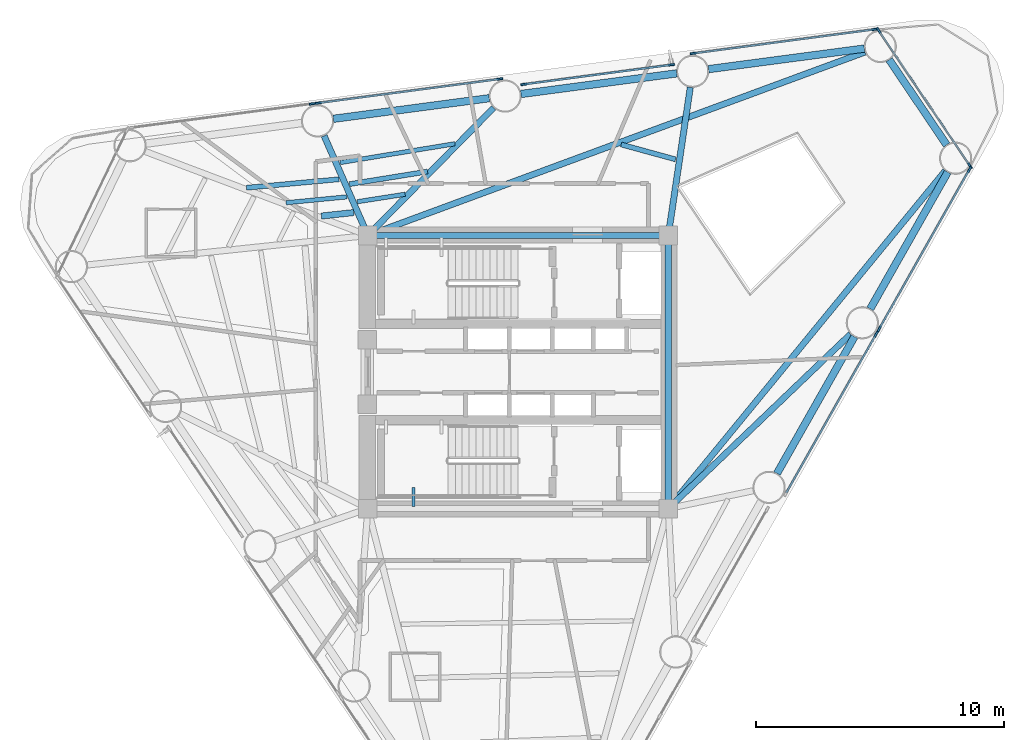
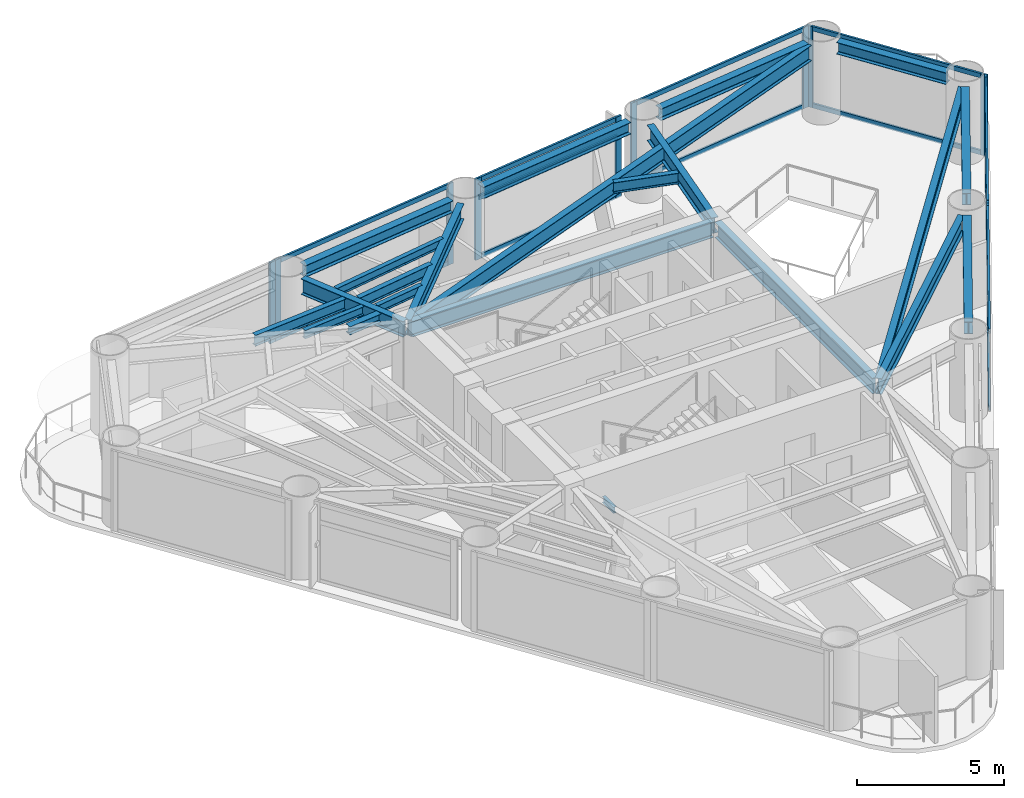
# One storey, part 3 of 9: 25 members, 22 beams, 7 elements without a shape of their own.
"""IFC4 building model written with IfcOpenShell, lengths in metres."""

from ifc_helpers import new_model, si_unit, direction, frame, origin, origin_2d, place, context, subcontext, project, spatial, rectangle, i_section, extrude, source, transform, mapped, material, layer, layer_set, material_profile, profile_set, type_object, element, aggregate, save


model = new_model("IFC4")

# Units and contexts
model_context = context("Model", 3, precision=1e-05, world=origin(), true_north=direction((0.0, 1.0)))
body_context = subcontext(model_context, "Body", "Model", "MODEL_VIEW")
ifc_project = project(units=[si_unit("LENGTHUNIT", "METRE"), si_unit("AREAUNIT", "SQUARE_METRE"), si_unit("VOLUMEUNIT", "CUBIC_METRE"), si_unit("PLANEANGLEUNIT", "RADIAN"), si_unit("MASSUNIT", "GRAM", prefix="KILO")], contexts=[model_context])

# Site, building, storey
site_placement = place(None, origin())
site = spatial("IfcSite", under=ifc_project, at=site_placement, CompositionType="ELEMENT")
building_placement = place(site_placement, origin())
building = spatial("IfcBuilding", under=site, at=building_placement, Name="Yunling Apex Tower", CompositionType="ELEMENT")
storey_placement = place(building_placement, frame((0.0, 0.0, 179.449951171875)))
storey = spatial("IfcBuildingStorey", under=building, at=storey_placement, Name="L44", CompositionType="ELEMENT", Elevation=179.449951171875)

# Beams
ifc_material_1 = material(Name="Steel Q355B", Category="steel")
ifc_material_profile_1 = material_profile(ifc_material_1, i_section(OverallWidth=0.125, OverallDepth=0.25, WebThickness=0.006103515625, FlangeThickness=0.009033203125, FilletRadius=0.011962890625, at=origin_2d()))
ifc_profile_set_1 = profile_set([ifc_material_profile_1], Name="Steel Q355B")
beam_type_1 = type_object("IfcBeamType", Name="BL-LNT-1", PredefinedType="LINTEL", material=ifc_profile_set_1)
shared_shape_1 = source(origin(), body_context, "Body", "SweptSolid", [
    extrude(i_section(OverallWidth=0.125, OverallDepth=0.25, WebThickness=0.006103515625, FlangeThickness=0.009033203125, FilletRadius=0.011962890625, at=origin_2d()), origin(), (0.0, 0.0, 1.0), 0.760009765625),
])
beam_1_placement = place(storey_placement, frame((-4.205078125, -5.419921875, 1.405029296875), z_axis=(0.0, 1.0, 0.0), x_axis=(-1.0, 0.0, 0.0)))
element("IfcBeam", 1, at=beam_1_placement, inside=storey, type_object=beam_type_1, Name="L44 ST-2 Landing Bearing Corbel 1-3", PredefinedType="LINTEL", context=body_context, shape_type="MappedRepresentation", body=[
    mapped(shared_shape_1, transform((0.0, 0.0, 0.0), scale=1.0)),
])
ifc_material_profile_2 = material_profile(ifc_material_1, i_section(OverallWidth=0.25, OverallDepth=0.64990234375, WebThickness=0.011962890625, FlangeThickness=0.02001953125, FilletRadius=0.02392578125, at=origin_2d()))
ifc_profile_set_2 = profile_set([ifc_material_profile_2], Name="Steel Q355B")
beam_type_2 = type_object("IfcBeamType", Name="BG-PRI-4", PredefinedType="USERDEFINED", material=ifc_profile_set_2)
shared_shape_2 = source(origin(), body_context, "Body", "SweptSolid", [
    extrude(i_section(OverallWidth=0.25, OverallDepth=0.64990234375, WebThickness=0.011962890625, FlangeThickness=0.02001953125, FilletRadius=0.02392578125, at=origin_2d()), origin(), (0.0, 0.0, 1.0), 11.7998046875),
])
beam_2_placement = place(storey_placement, frame((5.89990234375, 5.5, 2.945068359375), z_axis=(-1.0, 0.0, 0.0), x_axis=(0.0, -1.0, 0.0)))
element("IfcBeam", 2, at=beam_2_placement, inside=storey, type_object=beam_type_2, Name="L44 Core Ring Tie Beam 3", ObjectType="GIRDER", PredefinedType="USERDEFINED", context=body_context, shape_type="MappedRepresentation", body=[
    mapped(shared_shape_2, transform((0.0, 0.0, 0.0), scale=1.0)),
])
shared_shape_3 = source(origin(), body_context, "Body", "SweptSolid", [
    extrude(i_section(OverallWidth=0.25, OverallDepth=0.64990234375, WebThickness=0.011962890625, FlangeThickness=0.02001953125, FilletRadius=0.02392578125, at=origin_2d()), origin(), (0.0, 0.0, 1.0), 10.7001953125),
])
beam_3_placement = place(storey_placement, frame((6.050048828125, -5.35009765625, 2.945068359375), z_axis=(0.0, 1.0, 0.0), x_axis=(-1.0, 0.0, 0.0)))
element("IfcBeam", 3, at=beam_3_placement, inside=storey, type_object=beam_type_2, Name="L44 Core Ring Tie Beam 2", ObjectType="GIRDER", PredefinedType="USERDEFINED", context=body_context, shape_type="MappedRepresentation", body=[
    mapped(shared_shape_3, transform((0.0, 0.0, 0.0), scale=1.0)),
])
ifc_material_profile_3 = material_profile(ifc_material_1, i_section(OverallWidth=0.300048828125, OverallDepth=0.489990234375, WebThickness=0.010986328125, FlangeThickness=0.01806640625, FilletRadius=0.02197265625, at=origin_2d()))
ifc_profile_set_3 = profile_set([ifc_material_profile_3], Name="Steel Q355B")
beam_type_3 = type_object("IfcBeamType", Name="BP-SPN-2", PredefinedType="SPANDREL", material=ifc_profile_set_3)
shared_shape_4 = source(origin(), body_context, "Body", "SweptSolid", [
    extrude(i_section(OverallWidth=0.300048828125, OverallDepth=0.489990234375, WebThickness=0.010986328125, FlangeThickness=0.01806640625, FilletRadius=0.02197265625, at=origin_2d()), origin(), (0.0, 0.0, 1.0), 6.332763671875),
])
beam_4_placement = place(storey_placement, frame((10.426513671875, -4.087646484375, 3.025146484375), z_axis=(0.493042725972, 0.870005097897, 0.0), x_axis=(-0.870005097897, 0.493042725972, 0.0)))
element("IfcBeam", 4, at=beam_4_placement, inside=storey, type_object=beam_type_3, Name="L44 Perimeter Spandrel Beam 3", PredefinedType="SPANDREL", context=body_context, shape_type="MappedRepresentation", body=[
    mapped(shared_shape_4, transform((0.0, 0.0, 0.0), scale=1.0)),
])
shared_shape_5 = source(origin(), body_context, "Body", "SweptSolid", [
    extrude(i_section(OverallWidth=0.300048828125, OverallDepth=0.489990234375, WebThickness=0.010986328125, FlangeThickness=0.01806640625, FilletRadius=0.02197265625, at=origin_2d()), origin(), (0.0, 0.0, 1.0), 6.33251953125),
])
for number, where, z_axis, x_axis, name in (
    (5, (14.183837890625, 2.54248046875, 3.025146484375), (0.493030081742, 0.870012263418, 0.0), (-0.870012263418, 0.493030081742, 0.0), "L44 Perimeter Spandrel Beam 4"),
    (6, (13.948486328125, 13.029541015625, 3.025146484375), (-0.991351373324, -0.131234349957, 0.0), (0.131234349957, -0.991351373324, 0.0), "L44 Perimeter Spandrel Beam 6"),
    (7, (6.393798828125, 12.029541015625, 3.025146484375), (-0.991351373324, -0.131234349957, 0.0), (0.131234349957, -0.991351373324, 0.0), "L44 Perimeter Spandrel Beam 7"),
    (8, (-1.160888671875, 11.029541015625, 3.025146484375), (-0.991356388343, -0.131196460665, 0.0), (0.131196460665, -0.991356388343, 0.0), "L44 Perimeter Spandrel Beam 8"),
):
    element("IfcBeam", number, at=place(storey_placement, frame(where, z_axis=z_axis, x_axis=x_axis)), inside=storey, type_object=beam_type_3, Name=name, PredefinedType="SPANDREL", context=body_context, shape_type="MappedRepresentation", body=[
        mapped(shared_shape_5, transform((0.0, 0.0, 0.0), scale=1.0)),
    ])
shared_shape_6 = source(origin(), body_context, "Body", "SweptSolid", [
    extrude(i_section(OverallWidth=0.300048828125, OverallDepth=0.489990234375, WebThickness=0.010986328125, FlangeThickness=0.01806640625, FilletRadius=0.02197265625, at=origin_2d()), origin(), (0.0, 0.0, 1.0), 4.142333984375),
])
beam_5_placement = place(storey_placement, frame((17.263427734375, 9.14599609375, 3.025146484375), z_axis=(-0.559207616177, 0.829027648519, 0.0), x_axis=(-0.829027648519, -0.559207616177, 0.0)))
element("IfcBeam", 9, at=beam_5_placement, inside=storey, type_object=beam_type_3, Name="L44 Perimeter Spandrel Beam 5", PredefinedType="SPANDREL", context=body_context, shape_type="MappedRepresentation", body=[
    mapped(shared_shape_6, transform((0.0, 0.0, 0.0), scale=1.0)),
])
shared_shape_7 = source(origin(), body_context, "Body", "SweptSolid", [
    extrude(i_section(OverallWidth=0.25, OverallDepth=0.64990234375, WebThickness=0.011962890625, FlangeThickness=0.02001953125, FilletRadius=0.02392578125, at=origin_2d()), origin(), (0.0, 0.0, 1.0), 10.08203125),
])
beam_6_placement = place(storey_placement, frame((13.39111328125, 1.527099609375, 2.945068359375), z_axis=(-0.722387273854, -0.691488703143, 0.0), x_axis=(0.691488703143, -0.722387273854, 0.0)))
element("IfcBeam", 10, at=beam_6_placement, inside=storey, type_object=beam_type_2, Name="L44 Radial Primary Girder R04", ObjectType="GIRDER", PredefinedType="USERDEFINED", context=body_context, shape_type="MappedRepresentation", body=[
    mapped(shared_shape_7, transform((0.0, 0.0, 0.0), scale=1.0)),
])
shared_shape_8 = source(origin(), body_context, "Body", "SweptSolid", [
    extrude(i_section(OverallWidth=0.25, OverallDepth=0.64990234375, WebThickness=0.011962890625, FlangeThickness=0.02001953125, FilletRadius=0.02392578125, at=origin_2d()), origin(), (0.0, 0.0, 1.0), 17.512939453125),
])
beam_7_placement = place(storey_placement, frame((17.206298828125, 8.103271484375, 2.945068359375), z_axis=(-0.634143770781, -0.773215156331, 0.0), x_axis=(0.773215156331, -0.634143770781, 0.0)))
element("IfcBeam", 11, at=beam_7_placement, inside=storey, type_object=beam_type_2, Name="L44 Radial Primary Girder R05", ObjectType="GIRDER", PredefinedType="USERDEFINED", context=body_context, shape_type="MappedRepresentation", body=[
    mapped(shared_shape_8, transform((0.0, 0.0, 0.0), scale=1.0)),
])
shared_shape_9 = source(origin(), body_context, "Body", "SweptSolid", [
    extrude(i_section(OverallWidth=0.25, OverallDepth=0.64990234375, WebThickness=0.011962890625, FlangeThickness=0.02001953125, FilletRadius=0.02392578125, at=origin_2d()), origin(), (0.0, 0.0, 1.0), 21.258544921875),
])
beam_8_placement = place(storey_placement, frame((13.969482421875, 12.88623046875, 2.945068359375), z_axis=(-0.938179289615, -0.346149708274, 0.0), x_axis=(0.346149708274, -0.938179289615, 0.0)))
element("IfcBeam", 12, at=beam_8_placement, inside=storey, type_object=beam_type_2, Name="L44 Radial Primary Girder R06", ObjectType="GIRDER", PredefinedType="USERDEFINED", context=body_context, shape_type="MappedRepresentation", body=[
    mapped(shared_shape_9, transform((0.0, 0.0, 0.0), scale=1.0)),
])
shared_shape_10 = source(origin(), body_context, "Body", "SweptSolid", [
    extrude(i_section(OverallWidth=0.25, OverallDepth=0.64990234375, WebThickness=0.011962890625, FlangeThickness=0.02001953125, FilletRadius=0.02392578125, at=origin_2d()), origin(), (0.0, 0.0, 1.0), 5.948486328125),
])
beam_9_placement = place(storey_placement, frame((6.935546875, 11.463134765625, 2.945068359375), z_axis=(-0.146889273353, -0.989152941346, 0.0), x_axis=(0.989152941346, -0.146889273353, 0.0)))
element("IfcBeam", 13, at=beam_9_placement, inside=storey, type_object=beam_type_2, Name="L44 Radial Primary Girder R07", ObjectType="GIRDER", PredefinedType="USERDEFINED", context=body_context, shape_type="MappedRepresentation", body=[
    mapped(shared_shape_10, transform((0.0, 0.0, 0.0), scale=1.0)),
])
shared_shape_11 = source(origin(), body_context, "Body", "SweptSolid", [
    extrude(i_section(OverallWidth=0.25, OverallDepth=0.64990234375, WebThickness=0.011962890625, FlangeThickness=0.02001953125, FilletRadius=0.02392578125, at=origin_2d()), origin(), (0.0, 0.0, 1.0), 7.140625),
])
beam_10_placement = place(storey_placement, frame((-0.984130859375, 10.645263671875, 2.945068359375), z_axis=(-0.701580749748, -0.712589960344, 0.0), x_axis=(0.712589960344, -0.701580749748, 0.0)))
element("IfcBeam", 14, at=beam_10_placement, inside=storey, type_object=beam_type_2, Name="L44 Radial Primary Girder R08", ObjectType="GIRDER", PredefinedType="USERDEFINED", context=body_context, shape_type="MappedRepresentation", body=[
    mapped(shared_shape_11, transform((0.0, 0.0, 0.0), scale=1.0)),
])
shared_shape_12 = source(origin(), body_context, "Body", "SweptSolid", [
    extrude(i_section(OverallWidth=0.25, OverallDepth=0.64990234375, WebThickness=0.011962890625, FlangeThickness=0.02001953125, FilletRadius=0.02392578125, at=origin_2d()), origin(), (0.0, 0.0, 1.0), 4.3017578125),
])
beam_11_placement = place(storey_placement, frame((-7.8125, 9.51171875, 2.945068359375), z_axis=(0.402211714237, -0.915546687466, 0.0), x_axis=(0.915546687466, 0.402211714237, 0.0)))
element("IfcBeam", 15, at=beam_11_placement, inside=storey, type_object=beam_type_2, Name="L44 Radial Primary Girder R09", ObjectType="GIRDER", PredefinedType="USERDEFINED", context=body_context, shape_type="MappedRepresentation", body=[
    mapped(shared_shape_12, transform((0.0, 0.0, 0.0), scale=1.0)),
])
ifc_material_profile_4 = material_profile(ifc_material_1, i_section(OverallWidth=0.199951171875, OverallDepth=0.449951171875, WebThickness=0.009033203125, FlangeThickness=0.013916015625, FilletRadius=0.01806640625, at=origin_2d()))
ifc_profile_set_4 = profile_set([ifc_material_profile_4], Name="Steel Q355B")
beam_type_4 = type_object("IfcBeamType", Name="BS-SEC-3", PredefinedType="BEAM", material=ifc_profile_set_4)
shared_shape_13 = source(origin(), body_context, "Body", "SweptSolid", [
    extrude(i_section(OverallWidth=0.199951171875, OverallDepth=0.449951171875, WebThickness=0.009033203125, FlangeThickness=0.013916015625, FilletRadius=0.01806640625, at=origin_2d()), origin(), (0.0, 0.0, 1.0), 2.2734375),
])
beam_12_placement = place(storey_placement, frame((4.151611328125, 9.16455078125, 3.045166015625), z_axis=(0.964418538673, -0.264380185081, 0.0), x_axis=(0.264380185081, 0.964418538673, 0.0)))
element("IfcBeam", 16, at=beam_12_placement, inside=storey, type_object=beam_type_4, Name="L44 Composite Floor Beam BS-6", PredefinedType="BEAM", context=body_context, shape_type="MappedRepresentation", body=[
    mapped(shared_shape_13, transform((0.0, 0.0, 0.0), scale=1.0)),
])
shared_shape_14 = source(origin(), body_context, "Body", "SweptSolid", [
    extrude(i_section(OverallWidth=0.199951171875, OverallDepth=0.449951171875, WebThickness=0.009033203125, FlangeThickness=0.013916015625, FilletRadius=0.01806640625, at=origin_2d()), origin(), (0.0, 0.0, 1.0), 3.18310546875),
])
beam_13_placement = place(storey_placement, frame((-3.64697265625, 8.07568359375, 3.045166015625), z_axis=(-0.987204533881, -0.159459111642, 0.0), x_axis=(0.159459111642, -0.987204533881, 0.0)))
element("IfcBeam", 17, at=beam_13_placement, inside=storey, type_object=beam_type_4, Name="L44 Composite Floor Beam BS-8", PredefinedType="BEAM", context=body_context, shape_type="MappedRepresentation", body=[
    mapped(shared_shape_14, transform((0.0, 0.0, 0.0), scale=1.0)),
])
ifc_material_profile_5 = material_profile(ifc_material_1, i_section(OverallWidth=0.175048828125, OverallDepth=0.35009765625, WebThickness=0.007080078125, FlangeThickness=0.010986328125, FilletRadius=0.013916015625, at=origin_2d()))
ifc_profile_set_5 = profile_set([ifc_material_profile_5], Name="Steel Q355B")
beam_type_5 = type_object("IfcBeamType", Name="BJ-JST-1", PredefinedType="JOIST", material=ifc_profile_set_5)
shared_shape_15 = source(origin(), body_context, "Body", "SweptSolid", [
    extrude(i_section(OverallWidth=0.175048828125, OverallDepth=0.35009765625, WebThickness=0.007080078125, FlangeThickness=0.010986328125, FilletRadius=0.013916015625, at=origin_2d()), origin(), (0.0, 0.0, 1.0), 4.6875),
])
beam_14_placement = place(storey_placement, frame((-2.544677734375, 9.194580078125, 3.094970703125), z_axis=(-0.986776909696, -0.162084331414, 0.0), x_axis=(0.162084331414, -0.986776909696, 0.0)))
element("IfcBeam", 18, at=beam_14_placement, inside=storey, type_object=beam_type_5, Name="L44 Composite Floor Joist BJ1-8", PredefinedType="JOIST", context=body_context, shape_type="MappedRepresentation", body=[
    mapped(shared_shape_15, transform((0.0, 0.0, 0.0), scale=1.0)),
])
shared_shape_16 = source(origin(), body_context, "Body", "SweptSolid", [
    extrude(i_section(OverallWidth=0.175048828125, OverallDepth=0.35009765625, WebThickness=0.007080078125, FlangeThickness=0.010986328125, FilletRadius=0.013916015625, at=origin_2d()), origin(), (0.0, 0.0, 1.0), 1.952392578125),
])
beam_15_placement = place(storey_placement, frame((-4.548828125, 7.160400390625, 3.094970703125), z_axis=(-0.98796490296, -0.154678216044, 0.0), x_axis=(0.154678216044, -0.98796490296, 0.0)))
element("IfcBeam", 19, at=beam_15_placement, inside=storey, type_object=beam_type_5, Name="L44 Composite Floor Joist BJ3-8", PredefinedType="JOIST", context=body_context, shape_type="MappedRepresentation", body=[
    mapped(shared_shape_16, transform((0.0, 0.0, 0.0), scale=1.0)),
])
shared_shape_17 = source(origin(), body_context, "Body", "SweptSolid", [
    extrude(i_section(OverallWidth=0.199951171875, OverallDepth=0.449951171875, WebThickness=0.009033203125, FlangeThickness=0.013916015625, FilletRadius=0.01806640625, at=origin_2d()), origin(), (0.0, 0.0, 1.0), 3.749755859375),
])
beam_16_placement = place(storey_placement, frame((-7.21044921875, 7.76416015625, 3.045166015625), z_axis=(-0.995801444966, -0.091539511711, 0.0), x_axis=(0.091539511711, -0.995801444966, 0.0)))
element("IfcBeam", 20, at=beam_16_placement, inside=storey, type_object=beam_type_4, Name="L44 Composite Floor Beam BS-9", PredefinedType="BEAM", context=body_context, shape_type="MappedRepresentation", body=[
    mapped(shared_shape_17, transform((0.0, 0.0, 0.0), scale=1.0)),
])
shared_shape_18 = source(origin(), body_context, "Body", "SweptSolid", [
    extrude(i_section(OverallWidth=0.175048828125, OverallDepth=0.35009765625, WebThickness=0.007080078125, FlangeThickness=0.010986328125, FilletRadius=0.013916015625, at=origin_2d()), origin(), (0.0, 0.0, 1.0), 2.456787109375),
])
beam_17_placement = place(storey_placement, frame((-6.89892578125, 7.054443359375, 3.094970703125), z_axis=(-0.995362299538, -0.096197155147, 0.0), x_axis=(0.096197155147, -0.995362299538, 0.0)))
element("IfcBeam", 21, at=beam_17_placement, inside=storey, type_object=beam_type_5, Name="L44 Composite Floor Joist BJ3-9", PredefinedType="JOIST", context=body_context, shape_type="MappedRepresentation", body=[
    mapped(shared_shape_18, transform((0.0, 0.0, 0.0), scale=1.0)),
])
ifc_material_profile_6 = material_profile(ifc_material_1, i_section(OverallWidth=0.25, OverallDepth=0.340087890625, WebThickness=0.009033203125, FlangeThickness=0.013916015625, FilletRadius=0.01806640625, at=origin_2d()))
ifc_profile_set_6 = profile_set([ifc_material_profile_6], Name="Steel Q355B")
beam_type_6 = type_object("IfcBeamType", Name="BJ-JST-2", PredefinedType="JOIST", material=ifc_profile_set_6)
shared_shape_19 = source(origin(), body_context, "Body", "SweptSolid", [
    extrude(i_section(OverallWidth=0.25, OverallDepth=0.340087890625, WebThickness=0.009033203125, FlangeThickness=0.013916015625, FilletRadius=0.01806640625, at=origin_2d()), origin(), (0.0, 0.0, 1.0), 1.307373046875),
])
beam_18_placement = place(storey_placement, frame((-6.6220703125, 6.422607421875, 3.10009765625), z_axis=(-0.994297843948, -0.106638630521, 0.0), x_axis=(0.106638630521, -0.994297843948, 0.0)))
element("IfcBeam", 22, at=beam_18_placement, inside=storey, type_object=beam_type_6, Name="L44 Composite Floor Joist BJ2-9", PredefinedType="JOIST", context=body_context, shape_type="MappedRepresentation", body=[
    mapped(shared_shape_19, transform((0.0, 0.0, 0.0), scale=1.0)),
])

# Curtain wall, member
ifc_material_2 = material(Name="Bronze anodised aluminium", Category="aluminium")
ifc_layer = layer(ifc_material_2, 0.239990234375)
ifc_layer_set = layer_set([ifc_layer], Name="Bronze anodised aluminium")
curtain_wall_type = type_object("IfcCurtainWallType", Name="CW-SYS-3", PredefinedType="NOTDEFINED", material=ifc_layer_set)
curtain_wall_1_placement = place(storey_placement, origin())
curtain_wall_1 = element("IfcCurtainWall", 23, at=curtain_wall_1_placement, inside=storey, type_object=curtain_wall_type, Name="CW-L44-F1-B3", PredefinedType="NOTDEFINED")
ifc_material_profile_7 = material_profile(ifc_material_2, rectangle(XDim=0.080078125, YDim=0.239990234375, at=origin_2d()))
ifc_profile_set_7 = profile_set([ifc_material_profile_7], Name="Bronze anodised aluminium")
member_type_1 = type_object("IfcMemberType", Name="CW-MUL-3", PredefinedType="MULLION", material=ifc_profile_set_7)
shared_shape_20 = source(origin(), body_context, "Body", "SweptSolid", [
    extrude(rectangle(XDim=0.080078125, YDim=0.239990234375, at=origin_2d()), origin(), (0.0, 0.0, 1.0), 3.3701171875),
])
member_1_placement = place(storey_placement, frame((14.4248046875, 1.527587890625, -0.050048828125), z_axis=(0.0, 0.0, 1.0), x_axis=(-0.870009345679, 0.493035230416, 0.0)))
member_1 = element("IfcMember", 24, at=member_1_placement, type_object=member_type_1, Name="CW-SYS-3 mullion 2", PredefinedType="MULLION", context=body_context, shape_type="MappedRepresentation", body=[
    mapped(shared_shape_20, transform((0.0, 0.0, 0.0), scale=1.0)),
])

# Curtain wall, members
curtain_wall_2_placement = place(storey_placement, origin())
curtain_wall_2 = element("IfcCurtainWall", 25, at=curtain_wall_2_placement, inside=storey, type_object=curtain_wall_type, Name="CW-L44-F1-B4", PredefinedType="NOTDEFINED")
member_2_placement = place(storey_placement, frame((14.543212890625, 1.736572265625, -0.050048828125), z_axis=(0.0, 0.0, 1.0), x_axis=(-0.870006087438, 0.493040979859, 0.0)))
member_2 = element("IfcMember", 26, at=member_2_placement, type_object=member_type_1, Name="CW-SYS-3 mullion 1", PredefinedType="MULLION", context=body_context, shape_type="MappedRepresentation", body=[
    mapped(shared_shape_20, transform((0.0, 0.0, 0.0), scale=1.0)),
])
member_3_placement = place(storey_placement, frame((18.18212890625, 8.15771484375, -0.050048828125), z_axis=(0.0, 0.0, 1.0), x_axis=(-0.870006087438, 0.493040979859, 0.0)))
member_3 = element("IfcMember", 27, at=member_3_placement, type_object=member_type_1, Name="CW-SYS-3 mullion 2", PredefinedType="MULLION", context=body_context, shape_type="MappedRepresentation", body=[
    mapped(shared_shape_20, transform((0.0, 0.0, 0.0), scale=1.0)),
])

curtain_wall_3_placement = place(storey_placement, origin())
curtain_wall_3 = element("IfcCurtainWall", 28, at=curtain_wall_3_placement, inside=storey, type_object=curtain_wall_type, Name="CW-L44-CRN1", PredefinedType="NOTDEFINED")
member_4_placement = place(storey_placement, frame((18.201416015625, 8.30517578125, -0.050048828125), z_axis=(0.0, 0.0, 1.0), x_axis=(-0.829037677921, -0.559192747259, 0.0)))
member_4 = element("IfcMember", 29, at=member_4_placement, type_object=member_type_1, Name="CW-SYS-3 mullion 1", PredefinedType="MULLION", context=body_context, shape_type="MappedRepresentation", body=[
    mapped(shared_shape_20, transform((0.0, 0.0, 0.0), scale=1.0)),
])
member_5_placement = place(storey_placement, frame((14.518798828125, 13.764892578125, -0.050048828125), z_axis=(0.0, 0.0, 1.0), x_axis=(-0.829037677921, -0.559192747259, 0.0)))
member_5 = element("IfcMember", 30, at=member_5_placement, type_object=member_type_1, Name="CW-SYS-3 mullion 2", PredefinedType="MULLION", context=body_context, shape_type="MappedRepresentation", body=[
    mapped(shared_shape_20, transform((0.0, 0.0, 0.0), scale=1.0)),
])

curtain_wall_4_placement = place(storey_placement, origin())
curtain_wall_4 = element("IfcCurtainWall", 31, at=curtain_wall_4_placement, inside=storey, type_object=curtain_wall_type, Name="CW-L44-F2-B1", PredefinedType="NOTDEFINED")
member_6_placement = place(storey_placement, frame((14.374755859375, 13.80224609375, -0.050048828125), z_axis=(0.0, 0.0, 1.0), x_axis=(0.131222473138, -0.991352945496, 0.0)))
member_6 = element("IfcMember", 32, at=member_6_placement, type_object=member_type_1, Name="CW-SYS-3 mullion 1", PredefinedType="MULLION", context=body_context, shape_type="MappedRepresentation", body=[
    mapped(shared_shape_20, transform((0.0, 0.0, 0.0), scale=1.0)),
])
member_7_placement = place(storey_placement, frame((7.05810546875, 12.833740234375, -0.050048828125), z_axis=(0.0, 0.0, 1.0), x_axis=(0.131222473138, -0.991352945496, 0.0)))
member_7 = element("IfcMember", 33, at=member_7_placement, type_object=member_type_1, Name="CW-SYS-3 mullion 2", PredefinedType="MULLION", context=body_context, shape_type="MappedRepresentation", body=[
    mapped(shared_shape_20, transform((0.0, 0.0, 0.0), scale=1.0)),
])

curtain_wall_5_placement = place(storey_placement, origin())
curtain_wall_5 = element("IfcCurtainWall", 34, at=curtain_wall_5_placement, inside=storey, type_object=curtain_wall_type, Name="CW-L44-F2-B2", PredefinedType="NOTDEFINED")
member_8_placement = place(storey_placement, frame((6.1806640625, 12.37451171875, -0.050048828125), z_axis=(0.0, 0.0, 1.0), x_axis=(0.131204916036, -0.99135526932, 0.0)))
member_8 = element("IfcMember", 35, at=member_8_placement, type_object=member_type_1, Name="CW-SYS-3 mullion 1", PredefinedType="MULLION", context=body_context, shape_type="MappedRepresentation", body=[
    mapped(shared_shape_20, transform((0.0, 0.0, 0.0), scale=1.0)),
])
member_9_placement = place(storey_placement, frame((0.23193359375, 11.587158203125, -0.050048828125), z_axis=(0.0, 0.0, 1.0), x_axis=(0.131204916036, -0.99135526932, 0.0)))
member_9 = element("IfcMember", 36, at=member_9_placement, type_object=member_type_1, Name="CW-SYS-3 mullion 2", PredefinedType="MULLION", context=body_context, shape_type="MappedRepresentation", body=[
    mapped(shared_shape_20, transform((0.0, 0.0, 0.0), scale=1.0)),
])

curtain_wall_6_placement = place(storey_placement, origin())
curtain_wall_6 = element("IfcCurtainWall", 37, at=curtain_wall_6_placement, inside=storey, type_object=curtain_wall_type, Name="CW-L44-F2-B3", PredefinedType="NOTDEFINED")
member_10_placement = place(storey_placement, frame((-0.734619140625, 11.80224609375, -0.050048828125), z_axis=(0.0, 0.0, 1.0), x_axis=(0.13120930019, -0.991354689071, 0.0)))
member_10 = element("IfcMember", 38, at=member_10_placement, type_object=member_type_1, Name="CW-SYS-3 mullion 1", PredefinedType="MULLION", context=body_context, shape_type="MappedRepresentation", body=[
    mapped(shared_shape_20, transform((0.0, 0.0, 0.0), scale=1.0)),
])
member_11_placement = place(storey_placement, frame((-8.05126953125, 10.833740234375, -0.050048828125), z_axis=(0.0, 0.0, 1.0), x_axis=(0.13120930019, -0.991354689071, 0.0)))
member_11 = element("IfcMember", 39, at=member_11_placement, type_object=member_type_1, Name="CW-SYS-3 mullion 2", PredefinedType="MULLION", context=body_context, shape_type="MappedRepresentation", body=[
    mapped(shared_shape_20, transform((0.0, 0.0, 0.0), scale=1.0)),
])

# Curtain wall, member
curtain_wall_7_placement = place(storey_placement, origin())
curtain_wall_7 = element("IfcCurtainWall", 40, at=curtain_wall_7_placement, inside=storey, type_object=curtain_wall_type, Name="CW-L44-F2-B4", PredefinedType="NOTDEFINED")
member_12_placement = place(storey_placement, frame((-8.289306640625, 10.80224609375, -0.050048828125), z_axis=(0.0, 0.0, 1.0), x_axis=(0.131222473138, -0.991352945496, 0.0)))
member_12 = element("IfcMember", 41, at=member_12_placement, type_object=member_type_1, Name="CW-SYS-3 mullion 1", PredefinedType="MULLION", context=body_context, shape_type="MappedRepresentation", body=[
    mapped(shared_shape_20, transform((0.0, 0.0, 0.0), scale=1.0)),
])
aggregate(curtain_wall_7, [member_12])

# Member
ifc_material_profile_8 = material_profile(ifc_material_2, rectangle(XDim=0.080078125, YDim=0.18505859375, at=origin_2d()))
ifc_profile_set_8 = profile_set([ifc_material_profile_8], Name="Bronze anodised aluminium")
member_type_2 = type_object("IfcMemberType", Name="CW-TRN-3", PredefinedType="USERDEFINED", material=ifc_profile_set_8)
shared_shape_21 = source(origin(), body_context, "Body", "SweptSolid", [
    extrude(rectangle(XDim=0.080078125, YDim=0.18505859375, at=origin_2d()), origin(), (0.0, 0.0, 1.0), 5.9287109375),
])
member_13_placement = place(storey_placement, frame((6.14501953125, 12.369873046875, 0.0400390625), z_axis=(-0.991356183804, -0.131198006214, 0.0), x_axis=(0.131198006214, -0.991356183804, 0.0)))
member_13 = element("IfcMember", 42, at=member_13_placement, type_object=member_type_2, Name="CW-SYS-3 transom 1.1", ObjectType="TRANSOM", PredefinedType="USERDEFINED", context=body_context, shape_type="MappedRepresentation", body=[
    mapped(shared_shape_21, transform((0.0, 0.0, 0.0), scale=1.0)),
])

member_14_placement = place(storey_placement, frame((6.14501953125, 12.369873046875, 2.4853515625), z_axis=(-0.991356183804, -0.131198006214, 0.0), x_axis=(0.131198006214, -0.991356183804, 0.0)))
member_14 = element("IfcMember", 43, at=member_14_placement, type_object=member_type_2, Name="CW-SYS-3 transom 1.2", ObjectType="TRANSOM", PredefinedType="USERDEFINED", context=body_context, shape_type="MappedRepresentation", body=[
    mapped(shared_shape_21, transform((0.0, 0.0, 0.0), scale=1.0)),
])

member_15_placement = place(storey_placement, frame((6.14501953125, 12.369873046875, 3.22998046875), z_axis=(-0.991356183804, -0.131198006214, 0.0), x_axis=(0.131198006214, -0.991356183804, 0.0)))
member_15 = element("IfcMember", 44, at=member_15_placement, type_object=member_type_2, Name="CW-SYS-3 transom 1.3", ObjectType="TRANSOM", PredefinedType="USERDEFINED", context=body_context, shape_type="MappedRepresentation", body=[
    mapped(shared_shape_21, transform((0.0, 0.0, 0.0), scale=1.0)),
])

aggregate(curtain_wall_5, [member_8, member_9, member_13, member_14, member_15])

shared_shape_22 = source(origin(), body_context, "Body", "SweptSolid", [
    extrude(rectangle(XDim=0.080078125, YDim=0.18505859375, at=origin_2d()), origin(), (0.0, 0.0, 1.0), 7.308837890625),
])
member_16_placement = place(storey_placement, frame((10.8037109375, -4.8623046875, 0.0400390625), z_axis=(0.493042070546, 0.870005469334, 0.0), x_axis=(-0.870005469334, 0.493042070546, 0.0)))
member_16 = element("IfcMember", 45, at=member_16_placement, type_object=member_type_2, Name="CW-SYS-3 transom 1.1", ObjectType="TRANSOM", PredefinedType="USERDEFINED", context=body_context, shape_type="MappedRepresentation", body=[
    mapped(shared_shape_22, transform((0.0, 0.0, 0.0), scale=1.0)),
])

member_17_placement = place(storey_placement, frame((10.8037109375, -4.8623046875, 3.22998046875), z_axis=(0.493042070546, 0.870005469334, 0.0), x_axis=(-0.870005469334, 0.493042070546, 0.0)))
member_17 = element("IfcMember", 46, at=member_17_placement, type_object=member_type_2, Name="CW-SYS-3 transom 1.2", ObjectType="TRANSOM", PredefinedType="USERDEFINED", context=body_context, shape_type="MappedRepresentation", body=[
    mapped(shared_shape_22, transform((0.0, 0.0, 0.0), scale=1.0)),
])

aggregate(curtain_wall_1, [member_1, member_16, member_17])

member_18_placement = place(storey_placement, frame((14.560791015625, 1.767822265625, 0.0400390625), z_axis=(0.493042070546, 0.870005469334, 0.0), x_axis=(-0.870005469334, 0.493042070546, 0.0)))
member_18 = element("IfcMember", 47, at=member_18_placement, type_object=member_type_2, Name="CW-SYS-3 transom 1.1", ObjectType="TRANSOM", PredefinedType="USERDEFINED", context=body_context, shape_type="MappedRepresentation", body=[
    mapped(shared_shape_22, transform((0.0, 0.0, 0.0), scale=1.0)),
])

member_19_placement = place(storey_placement, frame((14.560791015625, 1.767822265625, 3.22998046875), z_axis=(0.493042070546, 0.870005469334, 0.0), x_axis=(-0.870005469334, 0.493042070546, 0.0)))
member_19 = element("IfcMember", 48, at=member_19_placement, type_object=member_type_2, Name="CW-SYS-3 transom 1.2", ObjectType="TRANSOM", PredefinedType="USERDEFINED", context=body_context, shape_type="MappedRepresentation", body=[
    mapped(shared_shape_22, transform((0.0, 0.0, 0.0), scale=1.0)),
])

aggregate(curtain_wall_2, [member_2, member_3, member_18, member_19])

shared_shape_23 = source(origin(), body_context, "Body", "SweptSolid", [
    extrude(rectangle(XDim=0.080078125, YDim=0.18505859375, at=origin_2d()), origin(), (0.0, 0.0, 1.0), 6.513916015625),
])
member_20_placement = place(storey_placement, frame((18.181396484375, 8.3349609375, 0.0400390625), z_axis=(-0.559206971542, 0.829028083347, 0.0), x_axis=(-0.829028083347, -0.559206971542, 0.0)))
member_20 = element("IfcMember", 49, at=member_20_placement, type_object=member_type_2, Name="CW-SYS-3 transom 1.1", ObjectType="TRANSOM", PredefinedType="USERDEFINED", context=body_context, shape_type="MappedRepresentation", body=[
    mapped(shared_shape_23, transform((0.0, 0.0, 0.0), scale=1.0)),
])

member_21_placement = place(storey_placement, frame((18.181396484375, 8.3349609375, 3.22998046875), z_axis=(-0.559206971542, 0.829028083347, 0.0), x_axis=(-0.829028083347, -0.559206971542, 0.0)))
member_21 = element("IfcMember", 50, at=member_21_placement, type_object=member_type_2, Name="CW-SYS-3 transom 1.2", ObjectType="TRANSOM", PredefinedType="USERDEFINED", context=body_context, shape_type="MappedRepresentation", body=[
    mapped(shared_shape_23, transform((0.0, 0.0, 0.0), scale=1.0)),
])

aggregate(curtain_wall_3, [member_4, member_5, member_20, member_21])

shared_shape_24 = source(origin(), body_context, "Body", "SweptSolid", [
    extrude(rectangle(XDim=0.080078125, YDim=0.18505859375, at=origin_2d()), origin(), (0.0, 0.0, 1.0), 7.30859375),
])
member_22_placement = place(storey_placement, frame((14.339111328125, 13.79736328125, 0.0400390625), z_axis=(-0.991354063091, -0.131214029714, 0.0), x_axis=(0.131214029714, -0.991354063091, 0.0)))
member_22 = element("IfcMember", 51, at=member_22_placement, type_object=member_type_2, Name="CW-SYS-3 transom 1.1", ObjectType="TRANSOM", PredefinedType="USERDEFINED", context=body_context, shape_type="MappedRepresentation", body=[
    mapped(shared_shape_24, transform((0.0, 0.0, 0.0), scale=1.0)),
])

member_23_placement = place(storey_placement, frame((14.339111328125, 13.79736328125, 3.22998046875), z_axis=(-0.991354063091, -0.131214029714, 0.0), x_axis=(0.131214029714, -0.991354063091, 0.0)))
member_23 = element("IfcMember", 52, at=member_23_placement, type_object=member_type_2, Name="CW-SYS-3 transom 1.2", ObjectType="TRANSOM", PredefinedType="USERDEFINED", context=body_context, shape_type="MappedRepresentation", body=[
    mapped(shared_shape_24, transform((0.0, 0.0, 0.0), scale=1.0)),
])

aggregate(curtain_wall_4, [member_6, member_7, member_22, member_23])

member_24_placement = place(storey_placement, frame((-0.770263671875, 11.797607421875, 0.0400390625), z_axis=(-0.991354063091, -0.131214029714, 0.0), x_axis=(0.131214029714, -0.991354063091, 0.0)))
member_24 = element("IfcMember", 53, at=member_24_placement, type_object=member_type_2, Name="CW-SYS-3 transom 1.1", ObjectType="TRANSOM", PredefinedType="USERDEFINED", context=body_context, shape_type="MappedRepresentation", body=[
    mapped(shared_shape_24, transform((0.0, 0.0, 0.0), scale=1.0)),
])

member_25_placement = place(storey_placement, frame((-0.770263671875, 11.797607421875, 3.22998046875), z_axis=(-0.991354063091, -0.131214029714, 0.0), x_axis=(0.131214029714, -0.991354063091, 0.0)))
member_25 = element("IfcMember", 54, at=member_25_placement, type_object=member_type_2, Name="CW-SYS-3 transom 1.2", ObjectType="TRANSOM", PredefinedType="USERDEFINED", context=body_context, shape_type="MappedRepresentation", body=[
    mapped(shared_shape_24, transform((0.0, 0.0, 0.0), scale=1.0)),
])

aggregate(curtain_wall_6, [member_10, member_11, member_24, member_25])

save(model, "model.ifc")
